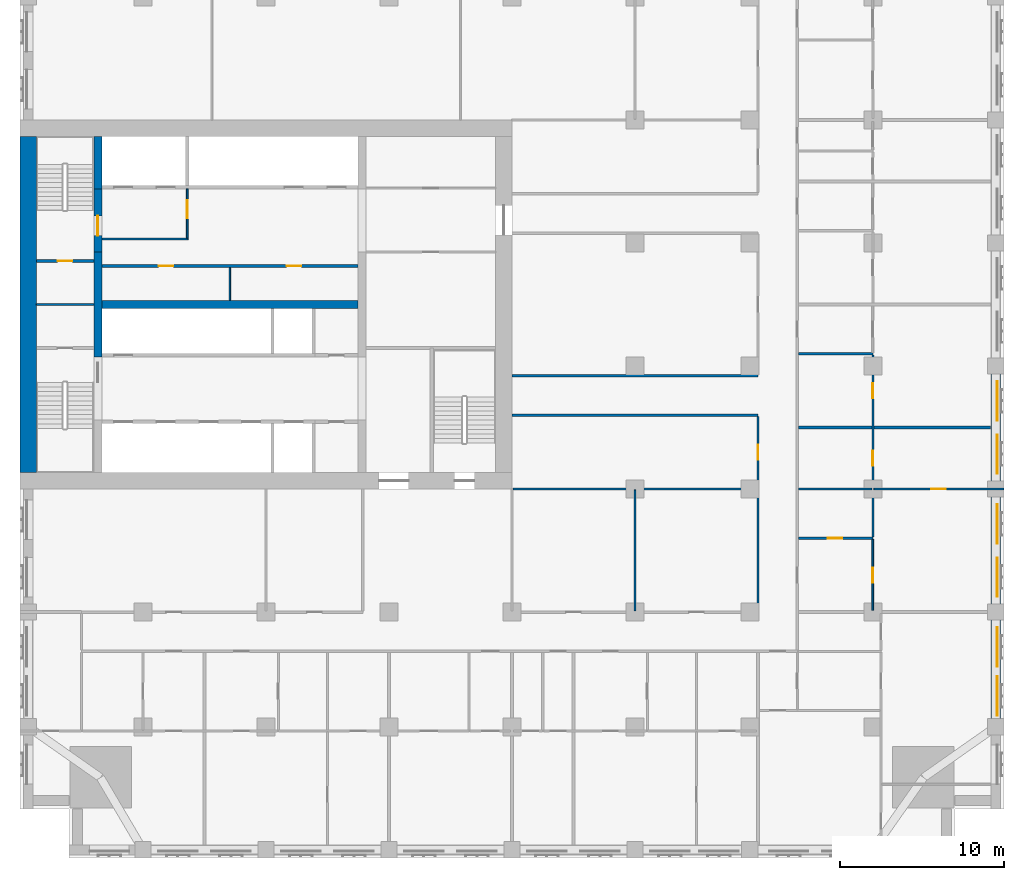
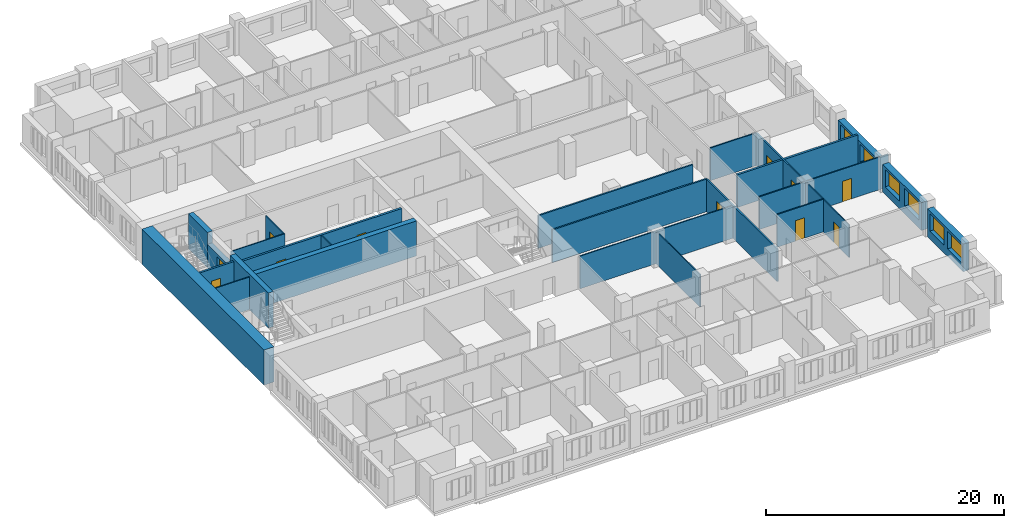
# One storey, part 7 of 14: 26 walls, 11 doors, 6 windows, 17 openings.
"""IFC4 building model written with IfcOpenShell, lengths in metres."""

from ifc_helpers import new_model, si_unit, direction, frame, frame_2d, origin, place, context, subcontext, project, spatial, rectangle, extrude, material, layer, layer_set, type_object, element, fill, save


model = new_model("IFC4")

# Units and contexts
model_context = context("Model", 3, precision=1e-05, world=origin(), true_north=direction((0.0, 1.0)))
body_context = subcontext(model_context, "Body", "Model", "MODEL_VIEW")
ifc_project = project(units=[si_unit("LENGTHUNIT", "METRE"), si_unit("AREAUNIT", "SQUARE_METRE"), si_unit("VOLUMEUNIT", "CUBIC_METRE"), si_unit("PLANEANGLEUNIT", "RADIAN"), si_unit("MASSUNIT", "GRAM", prefix="KILO")], contexts=[model_context])

# Site, building, storey
site_placement = place(None, origin())
site = spatial("IfcSite", under=ifc_project, at=site_placement, CompositionType="ELEMENT")
building_placement = place(site_placement, origin())
building = spatial("IfcBuilding", under=site, at=building_placement, Name="Tamorin Gate", CompositionType="ELEMENT")
storey_placement = place(building_placement, frame((0.0, 0.0, 79.10009765625)))
storey = spatial("IfcBuildingStorey", under=building, at=storey_placement, Name="L18", CompositionType="ELEMENT", Elevation=79.10009765625)

# Wall, openings, windows
ifc_material_1 = material(Name="Precast concrete C40/50", Category="concrete")
ifc_layer_1 = layer(ifc_material_1, 0.60009765625)
ifc_layer_set_1 = layer_set([ifc_layer_1], Name="Precast concrete C40/50")
wall_type_1 = type_object("IfcWallType", Name="Board-marked concrete facade panel 600", PredefinedType="SOLIDWALL", material=ifc_layer_set_1)
wall_1_placement = place(storey_placement, frame((89.5, 46.0, 0.0), z_axis=(0.0, 0.0, 1.0), x_axis=(0.0, 1.0, 0.0)))
wall_1 = element("IfcWall", 1, at=wall_1_placement, inside=storey, type_object=wall_type_1, Name="Facade panel", PredefinedType="SOLIDWALL", context=body_context, shape_type="SweptSolid", body=[
    extrude(rectangle(XDim=6.0, YDim=0.60009765625, at=frame_2d((3.0, 0.0))), origin(), (0.0, 0.0, 1.0), 2.849853515625),
])
opening_1_placement = place(wall_1_placement, frame((0.175048828125, 0.0, 0.800048828125)))
opening_1 = element("IfcOpeningElement", 2, at=opening_1_placement, cuts=wall_1, Name="Opening WN1", PredefinedType="OPENING", context=body_context, shape_type="SweptSolid", body=[
    extrude(rectangle(XDim=2.39990234375, YDim=1.800048828125, at=frame_2d((1.199951171875, 0.89990234375))), frame((0.0, 0.31005859375, 0.0), z_axis=(0.0, -1.0, 0.0), x_axis=(1.0, 0.0, 0.0)), (0.0, 0.0, 1.0), 0.6201171875),
])
opening_2_placement = place(wall_1_placement, frame((3.175048828125, 0.0, 0.800048828125)))
opening_2 = element("IfcOpeningElement", 3, at=opening_2_placement, cuts=wall_1, Name="Opening WN1", PredefinedType="OPENING", context=body_context, shape_type="SweptSolid", body=[
    extrude(rectangle(XDim=2.39990234375, YDim=1.800048828125, at=frame_2d((1.199951171875, 0.89990234375))), frame((0.0, 0.31005859375, 0.0), z_axis=(0.0, -1.0, 0.0), x_axis=(1.0, 0.0, 0.0)), (0.0, 0.0, 1.0), 0.6201171875),
])
ifc_material_2 = material(Name="Clear glass in aluminium frame", Category="aluminium")
window_type = type_object("IfcWindowType", Name="Deep-set window 2400x1800", PartitioningType="SINGLE_PANEL", PredefinedType="WINDOW", material=ifc_material_2)
window_1_placement = place(opening_1_placement, origin())
window_1 = element("IfcWindow", 4, at=window_1_placement, inside=storey, type_object=window_type, Name="Deep-set window", OverallHeight=1.800048828125, OverallWidth=2.39990234375, PartitioningType="SINGLE_PANEL", PredefinedType="WINDOW", context=body_context, shape_type="SweptSolid", body=[
    extrude(rectangle(XDim=2.39990234375, YDim=1.800048828125, at=frame_2d((1.199951171875, 0.89990234375))), frame((0.0, -0.070068359375, 0.0), z_axis=(0.0, -1.0, 0.0), x_axis=(1.0, 0.0, 0.0)), (0.0, 0.0, 1.0), 0.06005859375),
])
fill(opening_1, window_1)
window_2_placement = place(opening_2_placement, origin())
window_2 = element("IfcWindow", 5, at=window_2_placement, inside=storey, type_object=window_type, Name="Deep-set window", OverallHeight=1.800048828125, OverallWidth=2.39990234375, PartitioningType="SINGLE_PANEL", PredefinedType="WINDOW", context=body_context, shape_type="SweptSolid", body=[
    extrude(rectangle(XDim=2.39990234375, YDim=1.800048828125, at=frame_2d((1.199951171875, 0.89990234375))), frame((0.0, -0.070068359375, 0.0), z_axis=(0.0, -1.0, 0.0), x_axis=(1.0, 0.0, 0.0)), (0.0, 0.0, 1.0), 0.06005859375),
])
fill(opening_2, window_2)

wall_2_placement = place(storey_placement, frame((89.5, 53.0, 0.0), z_axis=(0.0, 0.0, 1.0), x_axis=(0.0, 1.0, 0.0)))
wall_2 = element("IfcWall", 6, at=wall_2_placement, inside=storey, type_object=wall_type_1, Name="Facade panel", PredefinedType="SOLIDWALL", context=body_context, shape_type="SweptSolid", body=[
    extrude(rectangle(XDim=6.5, YDim=0.60009765625, at=frame_2d((3.25, 0.0))), origin(), (0.0, 0.0, 1.0), 2.849853515625),
])
opening_3_placement = place(wall_2_placement, frame((0.425048828125, 0.0, 0.800048828125)))
opening_3 = element("IfcOpeningElement", 7, at=opening_3_placement, cuts=wall_2, Name="Opening WN1", PredefinedType="OPENING", context=body_context, shape_type="SweptSolid", body=[
    extrude(rectangle(XDim=2.39990234375, YDim=1.800048828125, at=frame_2d((1.199951171875, 0.89990234375))), frame((0.0, 0.31005859375, 0.0), z_axis=(0.0, -1.0, 0.0), x_axis=(1.0, 0.0, 0.0)), (0.0, 0.0, 1.0), 0.6201171875),
])
opening_4_placement = place(wall_2_placement, frame((3.675048828125, 0.0, 0.800048828125)))
opening_4 = element("IfcOpeningElement", 8, at=opening_4_placement, cuts=wall_2, Name="Opening WN1", PredefinedType="OPENING", context=body_context, shape_type="SweptSolid", body=[
    extrude(rectangle(XDim=2.39990234375, YDim=1.800048828125, at=frame_2d((1.199951171875, 0.89990234375))), frame((0.0, 0.31005859375, 0.0), z_axis=(0.0, -1.0, 0.0), x_axis=(1.0, 0.0, 0.0)), (0.0, 0.0, 1.0), 0.6201171875),
])
window_3_placement = place(opening_3_placement, origin())
window_3 = element("IfcWindow", 9, at=window_3_placement, inside=storey, type_object=window_type, Name="Deep-set window", OverallHeight=1.800048828125, OverallWidth=2.39990234375, PartitioningType="SINGLE_PANEL", PredefinedType="WINDOW", context=body_context, shape_type="SweptSolid", body=[
    extrude(rectangle(XDim=2.39990234375, YDim=1.800048828125, at=frame_2d((1.199951171875, 0.89990234375))), frame((0.0, -0.070068359375, 0.0), z_axis=(0.0, -1.0, 0.0), x_axis=(1.0, 0.0, 0.0)), (0.0, 0.0, 1.0), 0.06005859375),
])
fill(opening_3, window_3)
window_4_placement = place(opening_4_placement, origin())
window_4 = element("IfcWindow", 10, at=window_4_placement, inside=storey, type_object=window_type, Name="Deep-set window", OverallHeight=1.800048828125, OverallWidth=2.39990234375, PartitioningType="SINGLE_PANEL", PredefinedType="WINDOW", context=body_context, shape_type="SweptSolid", body=[
    extrude(rectangle(XDim=2.39990234375, YDim=1.800048828125, at=frame_2d((1.199951171875, 0.89990234375))), frame((0.0, -0.070068359375, 0.0), z_axis=(0.0, -1.0, 0.0), x_axis=(1.0, 0.0, 0.0)), (0.0, 0.0, 1.0), 0.06005859375),
])
fill(opening_4, window_4)

wall_3_placement = place(storey_placement, frame((89.5, 60.5, 0.0), z_axis=(0.0, 0.0, 1.0), x_axis=(0.0, 1.0, 0.0)))
wall_3 = element("IfcWall", 11, at=wall_3_placement, inside=storey, type_object=wall_type_1, Name="Facade panel", PredefinedType="SOLIDWALL", context=body_context, shape_type="SweptSolid", body=[
    extrude(rectangle(XDim=6.5, YDim=0.60009765625, at=frame_2d((3.25, 0.0))), origin(), (0.0, 0.0, 1.0), 2.849853515625),
])
opening_5_placement = place(wall_3_placement, frame((0.425048828125, 0.0, 0.800048828125)))
opening_5 = element("IfcOpeningElement", 12, at=opening_5_placement, cuts=wall_3, Name="Opening WN1", PredefinedType="OPENING", context=body_context, shape_type="SweptSolid", body=[
    extrude(rectangle(XDim=2.39990234375, YDim=1.800048828125, at=frame_2d((1.199951171875, 0.89990234375))), frame((0.0, 0.31005859375, 0.0), z_axis=(0.0, -1.0, 0.0), x_axis=(1.0, 0.0, 0.0)), (0.0, 0.0, 1.0), 0.6201171875),
])
opening_6_placement = place(wall_3_placement, frame((3.675048828125, 0.0, 0.800048828125)))
opening_6 = element("IfcOpeningElement", 13, at=opening_6_placement, cuts=wall_3, Name="Opening WN1", PredefinedType="OPENING", context=body_context, shape_type="SweptSolid", body=[
    extrude(rectangle(XDim=2.39990234375, YDim=1.800048828125, at=frame_2d((1.199951171875, 0.89990234375))), frame((0.0, 0.31005859375, 0.0), z_axis=(0.0, -1.0, 0.0), x_axis=(1.0, 0.0, 0.0)), (0.0, 0.0, 1.0), 0.6201171875),
])
window_5_placement = place(opening_5_placement, origin())
window_5 = element("IfcWindow", 14, at=window_5_placement, inside=storey, type_object=window_type, Name="Deep-set window", OverallHeight=1.800048828125, OverallWidth=2.39990234375, PartitioningType="SINGLE_PANEL", PredefinedType="WINDOW", context=body_context, shape_type="SweptSolid", body=[
    extrude(rectangle(XDim=2.39990234375, YDim=1.800048828125, at=frame_2d((1.199951171875, 0.89990234375))), frame((0.0, -0.070068359375, 0.0), z_axis=(0.0, -1.0, 0.0), x_axis=(1.0, 0.0, 0.0)), (0.0, 0.0, 1.0), 0.06005859375),
])
fill(opening_5, window_5)
window_6_placement = place(opening_6_placement, origin())
window_6 = element("IfcWindow", 15, at=window_6_placement, inside=storey, type_object=window_type, Name="Deep-set window", OverallHeight=1.800048828125, OverallWidth=2.39990234375, PartitioningType="SINGLE_PANEL", PredefinedType="WINDOW", context=body_context, shape_type="SweptSolid", body=[
    extrude(rectangle(XDim=2.39990234375, YDim=1.800048828125, at=frame_2d((1.199951171875, 0.89990234375))), frame((0.0, -0.070068359375, 0.0), z_axis=(0.0, -1.0, 0.0), x_axis=(1.0, 0.0, 0.0)), (0.0, 0.0, 1.0), 0.06005859375),
])
fill(opening_6, window_6)

# Wall, opening, door
ifc_material_3 = material(Name="Gypsum board partition")
ifc_layer_2 = layer(ifc_material_3, 0.14990234375)
ifc_layer_set_2 = layer_set([ifc_layer_2], Name="Corridor wall 150")
wall_type_2 = type_object("IfcWallType", Name="Corridor wall 150", PredefinedType="PARTITIONING", material=ifc_layer_set_2)
wall_4_placement = place(storey_placement, frame((75.0, 52.574951171875, 0.0), z_axis=(0.0, 0.0, 1.0), x_axis=(0.0, 1.0, 0.0)))
wall_4 = element("IfcWall", 16, at=wall_4_placement, inside=storey, type_object=wall_type_2, Name="Corridor wall 150", PredefinedType="PARTITIONING", context=body_context, shape_type="SweptSolid", body=[
    extrude(rectangle(XDim=11.85009765625, YDim=0.14990234375, at=frame_2d((5.925048828125, 0.0))), origin(), (0.0, 0.0, 1.0), 3.349853515625),
])
opening_7_placement = place(wall_4_placement, frame((9.22509765625, 0.0, 0.0)))
opening_7 = element("IfcOpeningElement", 17, at=opening_7_placement, cuts=wall_4, Name="Opening DH5080", PredefinedType="OPENING", context=body_context, shape_type="SweptSolid", body=[
    extrude(rectangle(XDim=0.89990234375, YDim=2.10009765625, at=frame_2d((0.449951171875, 1.050048828125))), frame((0.0, 0.0849609375, 0.0), z_axis=(0.0, -1.0, 0.0), x_axis=(1.0, 0.0, 0.0)), (0.0, 0.0, 1.0), 0.169921875),
])
ifc_material_4 = material(Name="Timber door leaf", Category="wood")
door_type_1 = type_object("IfcDoorType", Name="Door 900 x 2100 FD30S", OperationType="NOTDEFINED", PredefinedType="DOOR", material=ifc_material_4)
door_1_placement = place(opening_7_placement, origin())
door_1 = element("IfcDoor", 18, at=door_1_placement, inside=storey, type_object=door_type_1, Name="Door DH5080", OperationType="SINGLE_SWING_LEFT", OverallHeight=2.10009765625, OverallWidth=0.89990234375, PredefinedType="DOOR", context=body_context, shape_type="SweptSolid", body=[
    extrude(rectangle(XDim=0.89990234375, YDim=2.10009765625, at=frame_2d((0.449951171875, 1.050048828125))), frame((0.0, 0.02490234375, 0.0), z_axis=(0.0, -1.0, 0.0), x_axis=(1.0, 0.0, 0.0)), (0.0, 0.0, 1.0), 0.050048828125),
])
fill(opening_7, door_1)

# Walls
ifc_layer_3 = layer(ifc_material_3, 0.199951171875)
ifc_layer_set_3 = layer_set([ifc_layer_3], Name="Demising wall 200")
wall_type_3 = type_object("IfcWallType", Name="Demising wall 200", PredefinedType="PARTITIONING", material=ifc_layer_set_3)
wall_5_placement = place(storey_placement, frame((77.47509765625, 63.75, 0.0), z_axis=(0.0, 0.0, 1.0), x_axis=(1.0, 0.0, 0.0)))
element("IfcWall", 19, at=wall_5_placement, inside=storey, type_object=wall_type_3, Name="Demising wall 200", PredefinedType="PARTITIONING", context=body_context, shape_type="SweptSolid", body=[
    extrude(rectangle(XDim=11.71484375, YDim=0.199951171875, at=frame_2d((5.857421875, 0.0))), origin(), (0.0, 0.0, 1.0), 3.349853515625),
])
ifc_material_5 = material(Name="Fire-rated gypsum board partition")
ifc_layer_4 = layer(ifc_material_5, 0.10009765625)
ifc_layer_set_4 = layer_set([ifc_layer_4], Name="Lobby wall 100 EI 60")
wall_type_4 = type_object("IfcWallType", Name="Lobby wall 100 EI 60", PredefinedType="PARTITIONING", material=ifc_layer_set_4)
wall_6_placement = place(storey_placement, frame((35.0, 75.25, 0.0), z_axis=(0.0, 0.0, 1.0), x_axis=(1.0, 0.0, 0.0)))
element("IfcWall", 20, at=wall_6_placement, inside=storey, type_object=wall_type_4, Name="Firefighting lobby wall", PredefinedType="PARTITIONING", context=body_context, shape_type="SweptSolid", body=[
    extrude(rectangle(XDim=5.25, YDim=0.10009765625, at=frame_2d((2.625, 0.0))), origin(), (0.0, 0.0, 1.0), 3.349853515625),
])

# Wall, opening, door
wall_7_placement = place(storey_placement, frame((40.199951171875, 75.300048828125, 0.0), z_axis=(0.0, 0.0, 1.0), x_axis=(0.0, 1.0, 0.0)))
wall_7 = element("IfcWall", 21, at=wall_7_placement, inside=storey, type_object=wall_type_4, Name="Firefighting lobby wall", PredefinedType="PARTITIONING", context=body_context, shape_type="SweptSolid", body=[
    extrude(rectangle(XDim=3.0, YDim=0.10009765625, at=frame_2d((1.5, 0.0))), origin(), (0.0, 0.0, 1.0), 3.349853515625),
])
opening_8_placement = place(wall_7_placement, frame((1.199951171875, 0.0, 0.0)))
opening_8 = element("IfcOpeningElement", 22, at=opening_8_placement, cuts=wall_7, Name="Opening DF1", PredefinedType="OPENING", context=body_context, shape_type="SweptSolid", body=[
    extrude(rectangle(XDim=1.10009765625, YDim=2.10009765625, at=frame_2d((0.550048828125, 1.050048828125))), frame((0.0, 0.06005859375, 0.0), z_axis=(0.0, -1.0, 0.0), x_axis=(1.0, 0.0, 0.0)), (0.0, 0.0, 1.0), 0.1201171875),
])
ifc_material_6 = material(Name="Steel fire door", Category="steel")
door_type_2 = type_object("IfcDoorType", Name="Firefighting lobby door 1100 x 2100 EI 90", OperationType="SINGLE_SWING_LEFT", PredefinedType="DOOR", material=ifc_material_6)
door_2_placement = place(opening_8_placement, origin())
door_2 = element("IfcDoor", 23, at=door_2_placement, inside=storey, type_object=door_type_2, Name="Firefighting lobby door", OperationType="SINGLE_SWING_LEFT", OverallHeight=2.10009765625, OverallWidth=1.10009765625, PredefinedType="DOOR", context=body_context, shape_type="SweptSolid", body=[
    extrude(rectangle(XDim=1.10009765625, YDim=2.10009765625, at=frame_2d((0.550048828125, 1.050048828125))), frame((0.0, 0.02490234375, 0.0), z_axis=(0.0, -1.0, 0.0), x_axis=(1.0, 0.0, 0.0)), (0.0, 0.0, 1.0), 0.050048828125),
])
fill(opening_8, door_2)

# Walls
ifc_layer_5 = layer(ifc_material_3, 0.14990234375)
ifc_layer_set_5 = layer_set([ifc_layer_5], Name="Lobby wall 150")
wall_type_5 = type_object("IfcWallType", Name="Lobby wall 150", PredefinedType="PARTITIONING", material=ifc_layer_set_5)
for number, where, z_axis, x_axis, name in (
    (24, (60.0, 64.5, 0.0), (0.0, 0.0, 1.0), (1.0, 0.0, 0.0), "Lobby wall 150"),
    (25, (60.0, 66.89990234375, 0.0), (0.0, 0.0, 1.0), (1.0, 0.0, 0.0), "Lobby wall 150"),
):
    element("IfcWall", number, at=place(storey_placement, frame(where, z_axis=z_axis, x_axis=x_axis)), inside=storey, type_object=wall_type_5, Name=name, PredefinedType="PARTITIONING", context=body_context, shape_type="SweptSolid", body=[
        extrude(rectangle(XDim=15.0, YDim=0.14990234375, at=frame_2d((7.5, 0.0))), origin(), (0.0, 0.0, 1.0), 3.349853515625),
    ])
ifc_material_7 = material(Name="Concrete C80/95", Category="concrete")
ifc_layer_6 = layer(ifc_material_7, 0.5)
ifc_layer_set_6 = layer_set([ifc_layer_6], Name="RC core internal wall 500 C80/95")
wall_type_6 = type_object("IfcWallType", Name="RC core internal wall 500 C80/95", PredefinedType="SHEAR", material=ifc_layer_set_6)
wall_8_placement = place(storey_placement, frame((35.0, 71.25, 0.0), z_axis=(0.0, 0.0, 1.0), x_axis=(1.0, 0.0, 0.0)))
element("IfcWall", 26, at=wall_8_placement, inside=storey, type_object=wall_type_6, Name="Core spine wall L18", PredefinedType="SHEAR", context=body_context, shape_type="SweptSolid", body=[
    extrude(rectangle(XDim=15.60009765625, YDim=0.5, at=frame_2d((7.800048828125, 0.0))), origin(), (0.0, 0.0, 1.0), 3.599853515625),
])
wall_9_placement = place(storey_placement, frame((34.75, 68.050048828125, 0.0), z_axis=(0.0, 0.0, 1.0), x_axis=(0.0, 1.0, 0.0)))
element("IfcWall", 27, at=wall_9_placement, inside=storey, type_object=wall_type_6, Name="Core cross wall L18", PredefinedType="SHEAR", context=body_context, shape_type="SweptSolid", body=[
    extrude(rectangle(XDim=6.39990234375, YDim=0.5, at=frame_2d((3.199951171875, 0.0))), origin(), (0.0, 0.0, 1.0), 3.599853515625),
])
wall_10_placement = place(storey_placement, frame((34.75, 78.300048828125, 0.0), z_axis=(0.0, 0.0, 1.0), x_axis=(0.0, 1.0, 0.0)))
element("IfcWall", 28, at=wall_10_placement, inside=storey, type_object=wall_type_6, Name="Core cross wall L18", PredefinedType="SHEAR", context=body_context, shape_type="SweptSolid", body=[
    extrude(rectangle(XDim=3.199951171875, YDim=0.5, at=frame_2d((1.60009765625, 0.0))), origin(), (0.0, 0.0, 1.0), 3.599853515625),
])
ifc_layer_7 = layer(ifc_material_7, 1.0)
ifc_layer_set_7 = layer_set([ifc_layer_7], Name="RC core wall 1000 C80/95")
wall_type_7 = type_object("IfcWallType", Name="RC core wall 1000 C80/95", PredefinedType="SHEAR", material=ifc_layer_set_7)
wall_11_placement = place(storey_placement, frame((30.5, 61.0, 0.0), z_axis=(0.0, 0.0, 1.0), x_axis=(0.0, 1.0, 0.0)))
element("IfcWall", 29, at=wall_11_placement, inside=storey, type_object=wall_type_7, Name="Core wall L18", PredefinedType="SHEAR", context=body_context, shape_type="SweptSolid", body=[
    extrude(rectangle(XDim=20.5, YDim=1.0, at=frame_2d((10.25, 0.0))), origin(), (0.0, 0.0, 1.0), 3.599853515625),
])
ifc_layer_8 = layer(ifc_material_5, 0.10009765625)
ifc_layer_set_8 = layer_set([ifc_layer_8], Name="Riser partition 100 EI 120")
wall_type_8 = type_object("IfcWallType", Name="Riser partition 100 EI 120", PredefinedType="PARTITIONING", material=ifc_layer_set_8)
wall_12_placement = place(storey_placement, frame((31.0, 71.25, 0.0), z_axis=(0.0, 0.0, 1.0), x_axis=(1.0, 0.0, 0.0)))
element("IfcWall", 30, at=wall_12_placement, inside=storey, type_object=wall_type_8, Name="Riser partition", PredefinedType="PARTITIONING", context=body_context, shape_type="SweptSolid", body=[
    extrude(rectangle(XDim=3.5, YDim=0.10009765625, at=frame_2d((1.75, 0.0))), origin(), (0.0, 0.0, 1.0), 3.349853515625),
])
ifc_layer_9 = layer(ifc_material_3, 0.10009765625)
ifc_layer_set_9 = layer_set([ifc_layer_9], Name="Room partition 100")
wall_type_9 = type_object("IfcWallType", Name="Room partition 100", PredefinedType="PARTITIONING", material=ifc_layer_set_9)
wall_13_placement = place(storey_placement, frame((60.074951171875, 60.0, 0.0), z_axis=(0.0, 0.0, 1.0), x_axis=(1.0, 0.0, 0.0)))
element("IfcWall", 31, at=wall_13_placement, inside=storey, type_object=wall_type_9, Name="Room partition 100", PredefinedType="PARTITIONING", context=body_context, shape_type="SweptSolid", body=[
    extrude(rectangle(XDim=14.85009765625, YDim=0.10009765625, at=frame_2d((7.425048828125, 0.0))), origin(), (0.0, 0.0, 1.0), 3.349853515625),
])

# Wall, opening, door
wall_14_placement = place(storey_placement, frame((82.0625, 60.0, 0.0), z_axis=(0.0, 0.0, 1.0), x_axis=(1.0, 0.0, 0.0)))
wall_14 = element("IfcWall", 32, at=wall_14_placement, inside=storey, type_object=wall_type_9, Name="Room partition 100", PredefinedType="PARTITIONING", context=body_context, shape_type="SweptSolid", body=[
    extrude(rectangle(XDim=7.9375, YDim=0.10009765625, at=frame_2d((3.96875, 0.0))), origin(), (0.0, 0.0, 1.0), 3.349853515625),
])
opening_9_placement = place(wall_14_placement, frame((3.487548828125, 0.0, 0.0)))
opening_9 = element("IfcOpeningElement", 33, at=opening_9_placement, cuts=wall_14, Name="Opening DH5047", PredefinedType="OPENING", context=body_context, shape_type="SweptSolid", body=[
    extrude(rectangle(XDim=0.89990234375, YDim=2.10009765625, at=frame_2d((0.449951171875, 1.050048828125))), frame((0.0, 0.06005859375, 0.0), z_axis=(0.0, -1.0, 0.0), x_axis=(1.0, 0.0, 0.0)), (0.0, 0.0, 1.0), 0.1201171875),
])
door_type_3 = type_object("IfcDoorType", Name="Door 900 x 2100", OperationType="NOTDEFINED", PredefinedType="DOOR", material=ifc_material_4)
door_3_placement = place(opening_9_placement, origin())
door_3 = element("IfcDoor", 34, at=door_3_placement, inside=storey, type_object=door_type_3, Name="Door DH5047", OperationType="SINGLE_SWING_RIGHT", OverallHeight=2.10009765625, OverallWidth=0.89990234375, PredefinedType="DOOR", context=body_context, shape_type="SweptSolid", body=[
    extrude(rectangle(XDim=0.89990234375, YDim=2.10009765625, at=frame_2d((0.449951171875, 1.050048828125))), frame((0.0, 0.02490234375, 0.0), z_axis=(0.0, -1.0, 0.0), x_axis=(1.0, 0.0, 0.0)), (0.0, 0.0, 1.0), 0.050048828125),
])
fill(opening_9, door_3)

# Wall
wall_15_placement = place(storey_placement, frame((67.5, 52.574951171875, 0.0), z_axis=(0.0, 0.0, 1.0), x_axis=(0.0, 1.0, 0.0)))
element("IfcWall", 35, at=wall_15_placement, inside=storey, type_object=wall_type_9, Name="Room partition 100", PredefinedType="PARTITIONING", context=body_context, shape_type="SweptSolid", body=[
    extrude(rectangle(XDim=7.375, YDim=0.10009765625, at=frame_2d((3.6875, 0.0))), origin(), (0.0, 0.0, 1.0), 3.349853515625),
])

# Wall, opening, door
wall_16_placement = place(storey_placement, frame((82.0, 52.60009765625, 0.0), z_axis=(0.0, 0.0, 1.0), x_axis=(0.0, 1.0, 0.0)))
wall_16 = element("IfcWall", 36, at=wall_16_placement, inside=storey, type_object=wall_type_9, Name="Room partition 100", PredefinedType="PARTITIONING", context=body_context, shape_type="SweptSolid", body=[
    extrude(rectangle(XDim=4.33740234375, YDim=0.10009765625, at=frame_2d((2.168701171875, 0.0))), origin(), (0.0, 0.0, 1.0), 3.349853515625),
])
opening_10_placement = place(wall_16_placement, frame((1.699951171875, 0.0, 0.0)))
opening_10 = element("IfcOpeningElement", 37, at=opening_10_placement, cuts=wall_16, Name="Opening DH5044", PredefinedType="OPENING", context=body_context, shape_type="SweptSolid", body=[
    extrude(rectangle(XDim=0.89990234375, YDim=2.10009765625, at=frame_2d((0.449951171875, 1.050048828125))), frame((0.0, 0.06005859375, 0.0), z_axis=(0.0, -1.0, 0.0), x_axis=(1.0, 0.0, 0.0)), (0.0, 0.0, 1.0), 0.1201171875),
])
door_4_placement = place(opening_10_placement, origin())
door_4 = element("IfcDoor", 38, at=door_4_placement, inside=storey, type_object=door_type_3, Name="Door DH5044", OperationType="SINGLE_SWING_LEFT", OverallHeight=2.10009765625, OverallWidth=0.89990234375, PredefinedType="DOOR", context=body_context, shape_type="SweptSolid", body=[
    extrude(rectangle(XDim=0.89990234375, YDim=2.10009765625, at=frame_2d((0.449951171875, 1.050048828125))), frame((0.0, 0.02490234375, 0.0), z_axis=(0.0, -1.0, 0.0), x_axis=(1.0, 0.0, 0.0)), (0.0, 0.0, 1.0), 0.050048828125),
])
fill(opening_10, door_4)

# Wall, openings, doors
ifc_layer_10 = layer(ifc_material_3, 0.199951171875)
ifc_layer_set_10 = layer_set([ifc_layer_10], Name="Service room face wall 200 EI 60")
wall_type_10 = type_object("IfcWallType", Name="Service room face wall 200 EI 60", PredefinedType="PARTITIONING", material=ifc_layer_set_10)
wall_17_placement = place(storey_placement, frame((35.0, 73.60009765625, 0.0), z_axis=(0.0, 0.0, 1.0), x_axis=(1.0, 0.0, 0.0)))
wall_17 = element("IfcWall", 39, at=wall_17_placement, inside=storey, type_object=wall_type_10, Name="Service room face wall", PredefinedType="PARTITIONING", context=body_context, shape_type="SweptSolid", body=[
    extrude(rectangle(XDim=15.60009765625, YDim=0.199951171875, at=frame_2d((7.800048828125, 0.0))), origin(), (0.0, 0.0, 1.0), 3.349853515625),
])
opening_11_placement = place(wall_17_placement, frame((3.449951171875, 0.0, 0.0)))
opening_11 = element("IfcOpeningElement", 40, at=opening_11_placement, cuts=wall_17, Name="Opening DK1", PredefinedType="OPENING", context=body_context, shape_type="SweptSolid", body=[
    extrude(rectangle(XDim=0.89990234375, YDim=2.10009765625, at=frame_2d((0.449951171875, 1.050048828125))), frame((0.0, 0.10986328125, 0.0), z_axis=(0.0, -1.0, 0.0), x_axis=(1.0, 0.0, 0.0)), (0.0, 0.0, 1.0), 0.219970703125),
])
opening_12_placement = place(wall_17_placement, frame((11.25, 0.0, 0.0)))
opening_12 = element("IfcOpeningElement", 41, at=opening_12_placement, cuts=wall_17, Name="Opening DK1", PredefinedType="OPENING", context=body_context, shape_type="SweptSolid", body=[
    extrude(rectangle(XDim=0.89990234375, YDim=2.10009765625, at=frame_2d((0.449951171875, 1.050048828125))), frame((0.0, 0.10986328125, 0.0), z_axis=(0.0, -1.0, 0.0), x_axis=(1.0, 0.0, 0.0)), (0.0, 0.0, 1.0), 0.219970703125),
])
ifc_material_8 = material(Name="Timber fire door", Category="wood")
door_type_4 = type_object("IfcDoorType", Name="Service room door 900 x 2100 EI 60", OperationType="SINGLE_SWING_LEFT", PredefinedType="DOOR", material=ifc_material_8)
door_5_placement = place(opening_11_placement, origin())
door_5 = element("IfcDoor", 42, at=door_5_placement, inside=storey, type_object=door_type_4, Name="Door Housekeeping store", OperationType="SINGLE_SWING_RIGHT", OverallHeight=2.10009765625, OverallWidth=0.89990234375, PredefinedType="DOOR", context=body_context, shape_type="SweptSolid", body=[
    extrude(rectangle(XDim=0.89990234375, YDim=2.10009765625, at=frame_2d((0.449951171875, 1.050048828125))), frame((0.0, 0.02490234375, 0.0), z_axis=(0.0, -1.0, 0.0), x_axis=(1.0, 0.0, 0.0)), (0.0, 0.0, 1.0), 0.050048828125),
])
fill(opening_11, door_5)
door_6_placement = place(opening_12_placement, origin())
door_6 = element("IfcDoor", 43, at=door_6_placement, inside=storey, type_object=door_type_4, Name="Door IT room", OperationType="SINGLE_SWING_LEFT", OverallHeight=2.10009765625, OverallWidth=0.89990234375, PredefinedType="DOOR", context=body_context, shape_type="SweptSolid", body=[
    extrude(rectangle(XDim=0.89990234375, YDim=2.10009765625, at=frame_2d((0.449951171875, 1.050048828125))), frame((0.0, 0.02490234375, 0.0), z_axis=(0.0, -1.0, 0.0), x_axis=(1.0, 0.0, 0.0)), (0.0, 0.0, 1.0), 0.050048828125),
])
fill(opening_12, door_6)

# Wall
ifc_layer_11 = layer(ifc_material_3, 0.10009765625)
ifc_layer_set_11 = layer_set([ifc_layer_11], Name="Service room partition 100 EI 60")
wall_type_11 = type_object("IfcWallType", Name="Service room partition 100 EI 60", PredefinedType="PARTITIONING", material=ifc_layer_set_11)
wall_18_placement = place(storey_placement, frame((42.800048828125, 71.5, 0.0), z_axis=(0.0, 0.0, 1.0), x_axis=(0.0, 1.0, 0.0)))
element("IfcWall", 44, at=wall_18_placement, inside=storey, type_object=wall_type_11, Name="Service room partition", PredefinedType="PARTITIONING", context=body_context, shape_type="SweptSolid", body=[
    extrude(rectangle(XDim=2.0, YDim=0.10009765625, at=frame_2d((1.0, 0.0))), origin(), (0.0, 0.0, 1.0), 3.349853515625),
])

# Wall, opening, door
ifc_material_9 = material(Name="Concrete C40/50", Category="concrete")
ifc_layer_12 = layer(ifc_material_9, 0.199951171875)
ifc_layer_set_12 = layer_set([ifc_layer_12], Name="Stair enclosure wall 200 EI 120 C40/50")
wall_type_12 = type_object("IfcWallType", Name="Stair enclosure wall 200 EI 120 C40/50", PredefinedType="SOLIDWALL", material=ifc_layer_set_12)
wall_19_placement = place(storey_placement, frame((31.0, 73.89990234375, 0.0), z_axis=(0.0, 0.0, 1.0), x_axis=(1.0, 0.0, 0.0)))
wall_19 = element("IfcWall", 45, at=wall_19_placement, inside=storey, type_object=wall_type_12, Name="Stair enclosure wall", PredefinedType="SOLIDWALL", context=body_context, shape_type="SweptSolid", body=[
    extrude(rectangle(XDim=3.5, YDim=0.199951171875, at=frame_2d((1.75, 0.0))), origin(), (0.0, 0.0, 1.0), 3.349853515625),
])
opening_13_placement = place(wall_19_placement, frame((1.300048828125, 0.0, 0.0)))
opening_13 = element("IfcOpeningElement", 46, at=opening_13_placement, cuts=wall_19, Name="Opening DR1", PredefinedType="OPENING", context=body_context, shape_type="SweptSolid", body=[
    extrude(rectangle(XDim=0.89990234375, YDim=2.10009765625, at=frame_2d((0.449951171875, 1.050048828125))), frame((0.0, 0.10986328125, 0.0), z_axis=(0.0, -1.0, 0.0), x_axis=(1.0, 0.0, 0.0)), (0.0, 0.0, 1.0), 0.219970703125),
])
door_type_5 = type_object("IfcDoorType", Name="Riser access door 900 x 2100 EI 120", OperationType="SINGLE_SWING_LEFT", PredefinedType="DOOR", material=ifc_material_6)
door_7_placement = place(opening_13_placement, origin())
door_7 = element("IfcDoor", 47, at=door_7_placement, inside=storey, type_object=door_type_5, Name="Communications riser door", OperationType="SINGLE_SWING_RIGHT", OverallHeight=2.10009765625, OverallWidth=0.89990234375, PredefinedType="DOOR", context=body_context, shape_type="SweptSolid", body=[
    extrude(rectangle(XDim=0.89990234375, YDim=2.10009765625, at=frame_2d((0.449951171875, 1.050048828125))), frame((0.0, 0.02490234375, 0.0), z_axis=(0.0, -1.0, 0.0), x_axis=(1.0, 0.0, 0.0)), (0.0, 0.0, 1.0), 0.050048828125),
])
fill(opening_13, door_7)

ifc_material_10 = material(Name="Concrete C32/40", Category="concrete")
ifc_layer_13 = layer(ifc_material_10, 0.5)
ifc_layer_set_13 = layer_set([ifc_layer_13], Name="Stair lobby infill wall 500 EI 120")
wall_type_13 = type_object("IfcWallType", Name="Stair lobby infill wall 500 EI 120", PredefinedType="SOLIDWALL", material=ifc_layer_set_13)
wall_20_placement = place(storey_placement, frame((34.75, 74.449951171875, 0.0), z_axis=(0.0, 0.0, 1.0), x_axis=(0.0, 1.0, 0.0)))
wall_20 = element("IfcWall", 48, at=wall_20_placement, inside=storey, type_object=wall_type_13, Name="Stair lobby infill wall", PredefinedType="SOLIDWALL", context=body_context, shape_type="SweptSolid", body=[
    extrude(rectangle(XDim=3.85009765625, YDim=0.5, at=frame_2d((1.925048828125, 0.0))), origin(), (0.0, 0.0, 1.0), 2.39990234375),
])
opening_14_placement = place(wall_20_placement, frame((1.0, 0.0, 0.0)))
opening_14 = element("IfcOpeningElement", 49, at=opening_14_placement, cuts=wall_20, Name="Opening DS1", PredefinedType="OPENING", context=body_context, shape_type="SweptSolid", body=[
    extrude(rectangle(XDim=1.199951171875, YDim=2.10009765625, at=frame_2d((0.60009765625, 1.050048828125))), frame((0.0, 0.260009765625, 0.0), z_axis=(0.0, -1.0, 0.0), x_axis=(1.0, 0.0, 0.0)), (0.0, 0.0, 1.0), 0.52001953125),
])
door_type_6 = type_object("IfcDoorType", Name="Stair door 1200 x 2100 EI 90", OperationType="SINGLE_SWING_LEFT", PredefinedType="DOOR", material=ifc_material_6)
door_8_placement = place(opening_14_placement, origin())
door_8 = element("IfcDoor", 50, at=door_8_placement, inside=storey, type_object=door_type_6, Name="ST2 door", OperationType="SINGLE_SWING_RIGHT", OverallHeight=2.10009765625, OverallWidth=1.199951171875, PredefinedType="DOOR", context=body_context, shape_type="SweptSolid", body=[
    extrude(rectangle(XDim=1.199951171875, YDim=2.10009765625, at=frame_2d((0.60009765625, 1.050048828125))), frame((0.0, 0.02490234375, 0.0), z_axis=(0.0, -1.0, 0.0), x_axis=(1.0, 0.0, 0.0)), (0.0, 0.0, 1.0), 0.050048828125),
])
fill(opening_14, door_8)

ifc_layer_14 = layer(ifc_material_3, 0.125)
ifc_layer_set_14 = layer_set([ifc_layer_14], Name="Wet wall 125")
wall_type_14 = type_object("IfcWallType", Name="Wet wall 125", PredefinedType="PARTITIONING", material=ifc_layer_set_14)
wall_21_placement = place(storey_placement, frame((77.47509765625, 57.0, 0.0), z_axis=(0.0, 0.0, 1.0), x_axis=(1.0, 0.0, 0.0)))
wall_21 = element("IfcWall", 51, at=wall_21_placement, inside=storey, type_object=wall_type_14, Name="Wet wall 125", PredefinedType="PARTITIONING", context=body_context, shape_type="SweptSolid", body=[
    extrude(rectangle(XDim=4.52490234375, YDim=0.125, at=frame_2d((2.262451171875, 0.0))), origin(), (0.0, 0.0, 1.0), 3.349853515625),
])
opening_15_placement = place(wall_21_placement, frame((1.77490234375, 0.0, 0.0)))
opening_15 = element("IfcOpeningElement", 52, at=opening_15_placement, cuts=wall_21, Name="Opening DH5045", PredefinedType="OPENING", context=body_context, shape_type="SweptSolid", body=[
    extrude(rectangle(XDim=0.89990234375, YDim=2.10009765625, at=frame_2d((0.449951171875, 1.050048828125))), frame((0.0, 0.072509765625, 0.0), z_axis=(0.0, -1.0, 0.0), x_axis=(1.0, 0.0, 0.0)), (0.0, 0.0, 1.0), 0.14501953125),
])
door_9_placement = place(opening_15_placement, origin())
door_9 = element("IfcDoor", 53, at=door_9_placement, inside=storey, type_object=door_type_3, Name="Door DH5045", OperationType="SINGLE_SWING_RIGHT", OverallHeight=2.10009765625, OverallWidth=0.89990234375, PredefinedType="DOOR", context=body_context, shape_type="SweptSolid", body=[
    extrude(rectangle(XDim=0.89990234375, YDim=2.10009765625, at=frame_2d((0.449951171875, 1.050048828125))), frame((0.0, 0.02490234375, 0.0), z_axis=(0.0, -1.0, 0.0), x_axis=(1.0, 0.0, 0.0)), (0.0, 0.0, 1.0), 0.050048828125),
])
fill(opening_15, door_9)

# Walls
wall_22_placement = place(storey_placement, frame((77.47509765625, 60.0, 0.0), z_axis=(0.0, 0.0, 1.0), x_axis=(1.0, 0.0, 0.0)))
element("IfcWall", 54, at=wall_22_placement, inside=storey, type_object=wall_type_14, Name="Wet wall 125", PredefinedType="PARTITIONING", context=body_context, shape_type="SweptSolid", body=[
    extrude(rectangle(XDim=4.46240234375, YDim=0.125, at=frame_2d((2.231201171875, 0.0))), origin(), (0.0, 0.0, 1.0), 3.349853515625),
])
wall_23_placement = place(storey_placement, frame((77.47509765625, 68.25, 0.0), z_axis=(0.0, 0.0, 1.0), x_axis=(1.0, 0.0, 0.0)))
element("IfcWall", 55, at=wall_23_placement, inside=storey, type_object=wall_type_14, Name="Wet wall 125", PredefinedType="PARTITIONING", context=body_context, shape_type="SweptSolid", body=[
    extrude(rectangle(XDim=4.52490234375, YDim=0.125, at=frame_2d((2.262451171875, 0.0))), origin(), (0.0, 0.0, 1.0), 3.349853515625),
])

# Wall, openings, doors
wall_24_placement = place(storey_placement, frame((82.0, 57.0625, 0.0), z_axis=(0.0, 0.0, 1.0), x_axis=(0.0, 1.0, 0.0)))
wall_24 = element("IfcWall", 56, at=wall_24_placement, inside=storey, type_object=wall_type_14, Name="Wet wall 125", PredefinedType="PARTITIONING", context=body_context, shape_type="SweptSolid", body=[
    extrude(rectangle(XDim=11.125, YDim=0.125, at=frame_2d((5.5625, 0.0))), origin(), (0.0, 0.0, 1.0), 3.349853515625),
])
opening_16_placement = place(wall_24_placement, frame((4.362548828125, 0.0, 0.0)))
opening_16 = element("IfcOpeningElement", 57, at=opening_16_placement, cuts=wall_24, Name="Opening DH5046", PredefinedType="OPENING", context=body_context, shape_type="SweptSolid", body=[
    extrude(rectangle(XDim=0.89990234375, YDim=2.10009765625, at=frame_2d((0.449951171875, 1.050048828125))), frame((0.0, 0.072509765625, 0.0), z_axis=(0.0, -1.0, 0.0), x_axis=(1.0, 0.0, 0.0)), (0.0, 0.0, 1.0), 0.14501953125),
])
opening_17_placement = place(wall_24_placement, frame((8.487548828125, 0.0, 0.0)))
opening_17 = element("IfcOpeningElement", 58, at=opening_17_placement, cuts=wall_24, Name="Opening DH5048", PredefinedType="OPENING", context=body_context, shape_type="SweptSolid", body=[
    extrude(rectangle(XDim=0.89990234375, YDim=2.10009765625, at=frame_2d((0.449951171875, 1.050048828125))), frame((0.0, 0.072509765625, 0.0), z_axis=(0.0, -1.0, 0.0), x_axis=(1.0, 0.0, 0.0)), (0.0, 0.0, 1.0), 0.14501953125),
])
door_10_placement = place(opening_16_placement, origin())
door_10 = element("IfcDoor", 59, at=door_10_placement, inside=storey, type_object=door_type_3, Name="Door DH5046", OperationType="SINGLE_SWING_LEFT", OverallHeight=2.10009765625, OverallWidth=0.89990234375, PredefinedType="DOOR", context=body_context, shape_type="SweptSolid", body=[
    extrude(rectangle(XDim=0.89990234375, YDim=2.10009765625, at=frame_2d((0.449951171875, 1.050048828125))), frame((0.0, 0.02490234375, 0.0), z_axis=(0.0, -1.0, 0.0), x_axis=(1.0, 0.0, 0.0)), (0.0, 0.0, 1.0), 0.050048828125),
])
fill(opening_16, door_10)
door_11_placement = place(opening_17_placement, origin())
door_11 = element("IfcDoor", 60, at=door_11_placement, inside=storey, type_object=door_type_3, Name="Door DH5048", OperationType="SINGLE_SWING_LEFT", OverallHeight=2.10009765625, OverallWidth=0.89990234375, PredefinedType="DOOR", context=body_context, shape_type="SweptSolid", body=[
    extrude(rectangle(XDim=0.89990234375, YDim=2.10009765625, at=frame_2d((0.449951171875, 1.050048828125))), frame((0.0, 0.02490234375, 0.0), z_axis=(0.0, -1.0, 0.0), x_axis=(1.0, 0.0, 0.0)), (0.0, 0.0, 1.0), 0.050048828125),
])
fill(opening_17, door_11)

save(model, "model.ifc")
